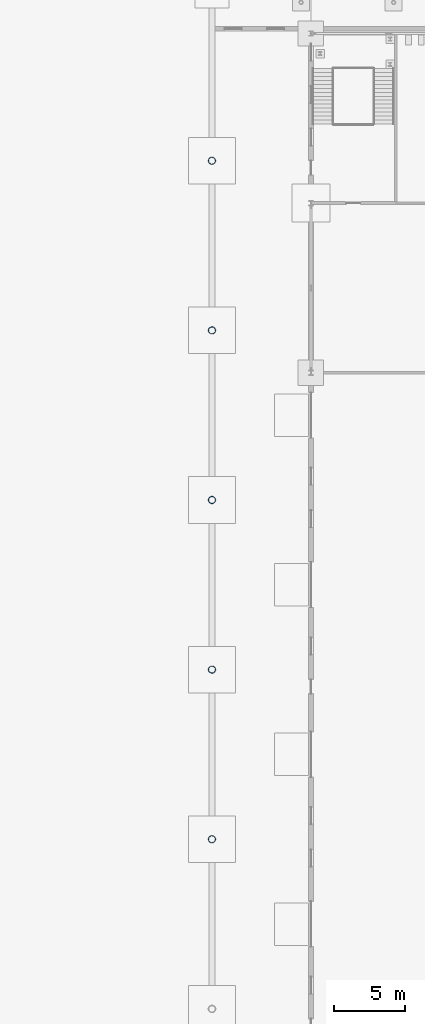
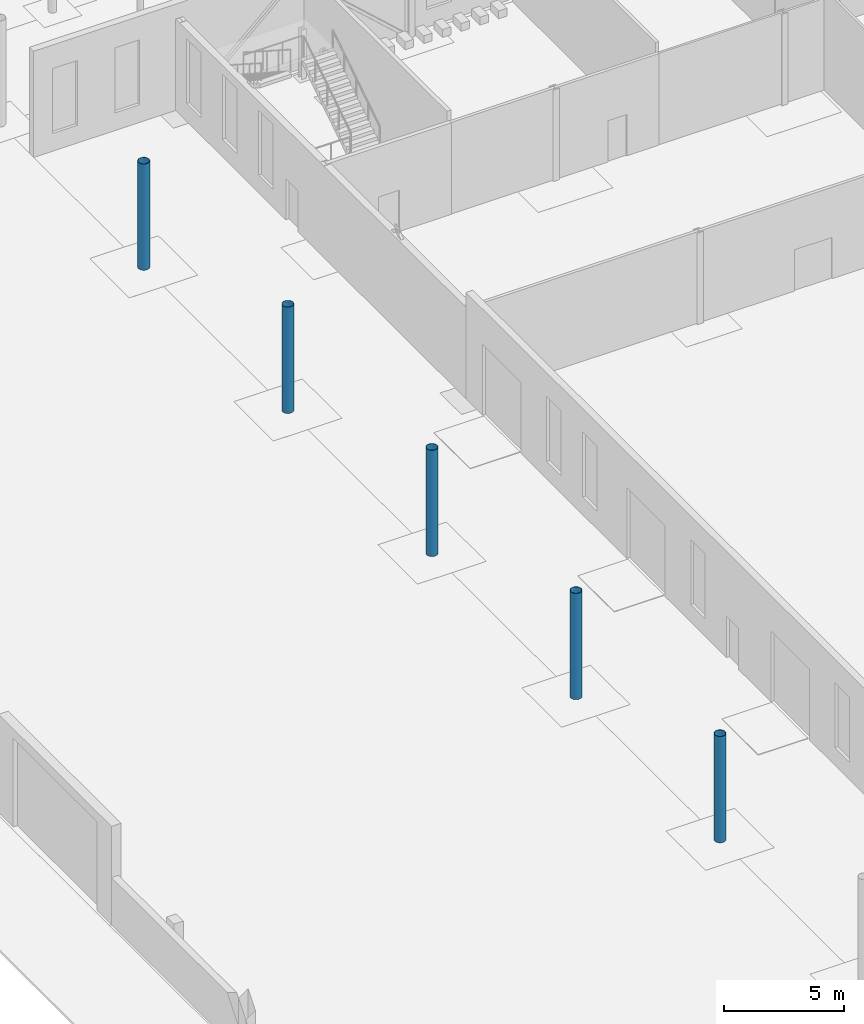
# One storey, part 24 of 132: 5 columns.
"""IFC4 building model written with IfcOpenShell, lengths in metres."""

from ifc_helpers import new_model, si_unit, direction, frame, origin, origin_2d, place, context, subcontext, project, spatial, hollow_circle, extrude, material, material_profile, profile_set, type_object, element, save


model = new_model("IFC4")

# Units and contexts
model_context = context("Model", 3, precision=1e-05, world=origin(), true_north=direction((0.0, 1.0)))
body_context = subcontext(model_context, "Body", "Model", "MODEL_VIEW")
ifc_project = project(units=[si_unit("LENGTHUNIT", "METRE"), si_unit("AREAUNIT", "SQUARE_METRE"), si_unit("VOLUMEUNIT", "CUBIC_METRE"), si_unit("PLANEANGLEUNIT", "RADIAN"), si_unit("MASSUNIT", "GRAM", prefix="KILO")], contexts=[model_context])

# Site, building, storey
site_placement = place(None, origin())
site = spatial("IfcSite", under=ifc_project, at=site_placement, CompositionType="ELEMENT")
building_placement = place(site_placement, origin())
building = spatial("IfcBuilding", under=site, at=building_placement, Name="Ravi Spectrum Wholesale Market", CompositionType="ELEMENT")
storey_placement = place(building_placement, origin())
storey = spatial("IfcBuildingStorey", under=building, at=storey_placement, Name="L00", CompositionType="ELEMENT", Elevation=0.0)

# Columns
ifc_material = material(Name="Steel S355", Category="steel")
ifc_material_profile = material_profile(ifc_material, hollow_circle(Radius=0.25390625, WallThickness=0.01611328125, at=origin_2d()))
ifc_profile_set = profile_set([ifc_material_profile], Name="Steel S355")
column_type = type_object("IfcColumnType", Name="CHS 508x16 column", PredefinedType="COLUMN", material=ifc_profile_set)
for number, where, z_axis, x_axis, name in (
    (1, (30.0, 138.0, 0.0), (0.0, 0.0, 1.0), (1.0, 0.0, 0.0), "H1-COL-L00-010"),
    (2, (30.0, 150.0, 0.0), (0.0, 0.0, 1.0), (1.0, 0.0, 0.0), "H1-COL-L00-011"),
    (3, (30.0, 162.0, 0.0), (0.0, 0.0, 1.0), (1.0, 0.0, 0.0), "H1-COL-L00-012"),
    (4, (30.0, 174.0, 0.0), (0.0, 0.0, 1.0), (1.0, 0.0, 0.0), "H1-COL-L00-013"),
    (5, (30.0, 186.0, 0.0), (0.0, 0.0, 1.0), (1.0, 0.0, 0.0), "H1-COL-L00-014"),
):
    element("IfcColumn", number, at=place(storey_placement, frame(where, z_axis=z_axis, x_axis=x_axis)), inside=storey, type_object=column_type, Name=name, PredefinedType="COLUMN", context=body_context, shape_type="SweptSolid", body=[
        extrude(hollow_circle(Radius=0.25390625, WallThickness=0.01611328125, at=origin_2d()), origin(), (0.0, 0.0, 1.0), 5.39990234375),
    ])

save(model, "model.ifc")
